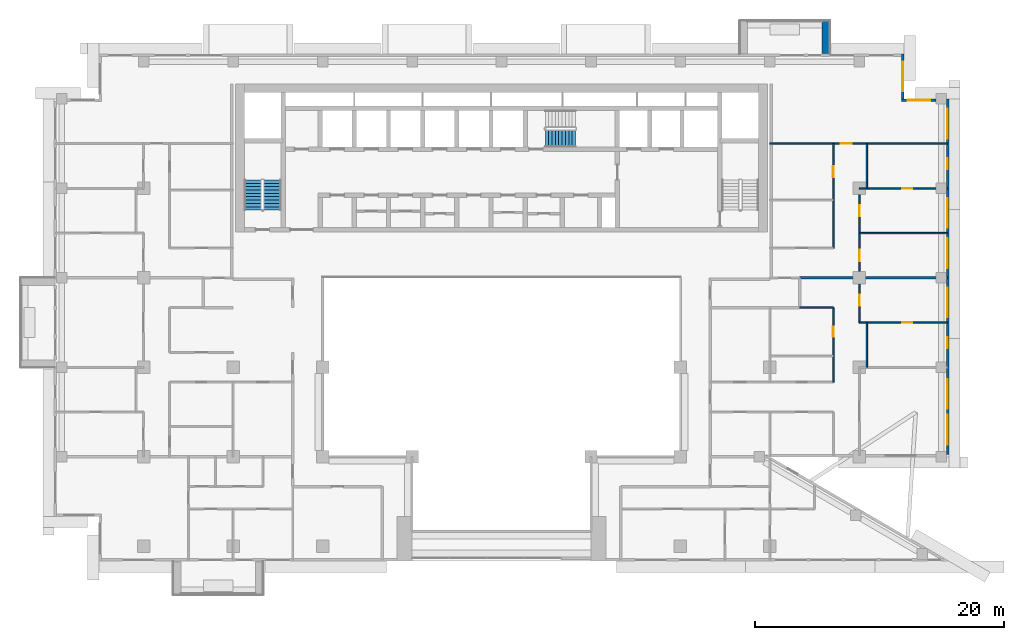
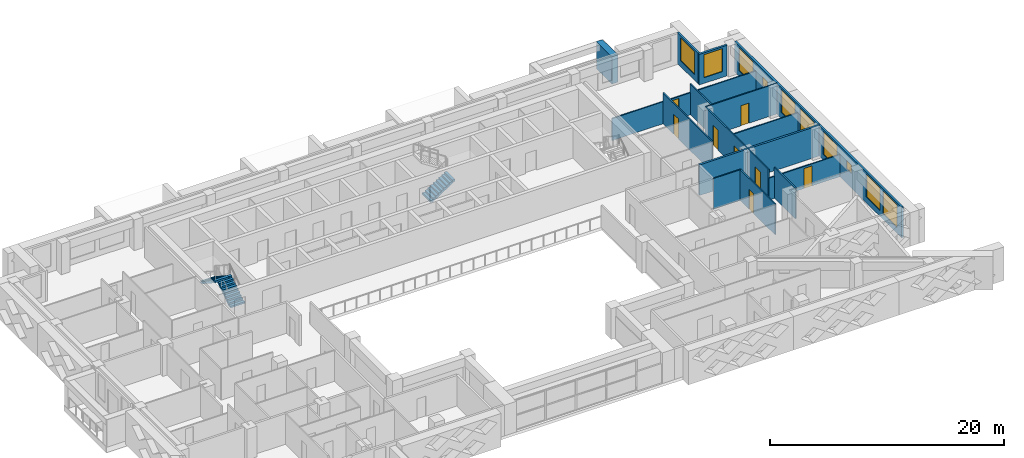
# One storey, part 12 of 20: 15 walls, 10 windows, 8 doors, 3 stair flights, 18 openings, 2 elements without a shape of their own.
"""IFC4 building model written with IfcOpenShell, lengths in metres."""

from ifc_helpers import new_model, si_unit, direction, frame, frame_2d, origin, place, context, subcontext, project, spatial, polyline, rectangle, outline, extrude, material, layer, layer_set, type_object, element, fill, aggregate, save


model = new_model("IFC4")

# Units and contexts
model_context = context("Model", 3, precision=1e-05, world=origin(), true_north=direction((0.0, 1.0)))
body_context = subcontext(model_context, "Body", "Model", "MODEL_VIEW")
ifc_project = project(units=[si_unit("LENGTHUNIT", "METRE"), si_unit("AREAUNIT", "SQUARE_METRE"), si_unit("VOLUMEUNIT", "CUBIC_METRE"), si_unit("PLANEANGLEUNIT", "RADIAN"), si_unit("MASSUNIT", "GRAM", prefix="KILO")], contexts=[model_context])

# Site, building, storey
site_placement = place(None, origin())
site = spatial("IfcSite", under=ifc_project, at=site_placement, CompositionType="ELEMENT")
building_placement = place(site_placement, origin())
building = spatial("IfcBuilding", under=site, at=building_placement, Name="Saffron Iwan Residences", CompositionType="ELEMENT")
storey_placement = place(building_placement, frame((0.0, 0.0, 164.0)))
storey = spatial("IfcBuildingStorey", under=building, at=storey_placement, Name="L43", CompositionType="ELEMENT", Elevation=164.0)

# Wall
ifc_material_1 = material(Name="Concrete C50/60 white painted", Category="concrete")
ifc_layer_1 = layer(ifc_material_1, 0.60009765625)
ifc_layer_set_1 = layer_set([ifc_layer_1], Name="Concrete C50/60 white painted")
wall_type_1 = type_object("IfcWallType", Name="BALCONY FIN 600", PredefinedType="SOLIDWALL", material=ifc_layer_set_1)
wall_1_placement = place(storey_placement, frame((76.5, 80.449951171875, 0.0), z_axis=(0.0, 0.0, 1.0), x_axis=(0.0, 1.0, 0.0)))
element("IfcWall", 1, at=wall_1_placement, inside=storey, type_object=wall_type_1, Name="Balcony fin L43 F5-0a", PredefinedType="SOLIDWALL", context=body_context, shape_type="SweptSolid", body=[
    extrude(rectangle(XDim=2.650146484375, YDim=0.60009765625, at=frame_2d((1.3251953125, 0.0))), origin(), (0.0, 0.0, 1.0), 2.85009765625),
])

# Wall, openings, windows
ifc_material_2 = material(Name="Concrete C40/50", Category="concrete")
ifc_layer_2 = layer(ifc_material_2, 0.199951171875)
ifc_layer_set_2 = layer_set([ifc_layer_2], Name="Concrete C40/50")
wall_type_2 = type_object("IfcWallType", Name="EXTERNAL WALL 200", PredefinedType="SOLIDWALL", material=ifc_layer_set_2)
wall_2_placement = place(storey_placement, frame((86.300048828125, 48.199951171875, 0.0), z_axis=(0.0, 0.0, 1.0), x_axis=(0.0, 1.0, 0.0)))
wall_2 = element("IfcWall", 2, at=wall_2_placement, inside=storey, type_object=wall_type_2, Name="External wall L43 F2.0", PredefinedType="SOLIDWALL", context=body_context, shape_type="SweptSolid", body=[
    extrude(rectangle(XDim=28.60009765625, YDim=0.199951171875, at=frame_2d((14.300048828125, 0.0))), origin(), (0.0, 0.0, 1.0), 3.199951171875),
])
opening_1_placement = place(wall_2_placement, frame((0.77490234375, 0.0, 0.60009765625)))
opening_1 = element("IfcOpeningElement", 3, at=opening_1_placement, cuts=wall_2, Name="Opening W1", PredefinedType="OPENING", context=body_context, shape_type="SweptSolid", body=[
    extrude(rectangle(XDim=2.39990234375, YDim=2.39990234375, at=frame_2d((1.199951171875, 1.199951171875))), frame((0.0, 0.10986328125, 0.0), z_axis=(0.0, -1.0, 0.0), x_axis=(1.0, 0.0, 0.0)), (0.0, 0.0, 1.0), 0.219970703125),
])
opening_2_placement = place(wall_2_placement, frame((3.64990234375, 0.0, 0.60009765625)))
opening_2 = element("IfcOpeningElement", 4, at=opening_2_placement, cuts=wall_2, Name="Opening W1", PredefinedType="OPENING", context=body_context, shape_type="SweptSolid", body=[
    extrude(rectangle(XDim=2.39990234375, YDim=2.39990234375, at=frame_2d((1.199951171875, 1.199951171875))), frame((0.0, 0.10986328125, 0.0), z_axis=(0.0, -1.0, 0.0), x_axis=(1.0, 0.0, 0.0)), (0.0, 0.0, 1.0), 0.219970703125),
])
opening_3_placement = place(wall_2_placement, frame((11.012451171875, 0.0, 0.60009765625)))
opening_3 = element("IfcOpeningElement", 5, at=opening_3_placement, cuts=wall_2, Name="Opening W1", PredefinedType="OPENING", context=body_context, shape_type="SweptSolid", body=[
    extrude(rectangle(XDim=2.39990234375, YDim=2.39990234375, at=frame_2d((1.199951171875, 1.199951171875))), frame((0.0, 0.10986328125, 0.0), z_axis=(0.0, -1.0, 0.0), x_axis=(1.0, 0.0, 0.0)), (0.0, 0.0, 1.0), 0.219970703125),
])
opening_4_placement = place(wall_2_placement, frame((8.53759765625, 0.0, 1.5)))
opening_4 = element("IfcOpeningElement", 6, at=opening_4_placement, cuts=wall_2, Name="Opening W6", PredefinedType="OPENING", context=body_context, shape_type="SweptSolid", body=[
    extrude(rectangle(XDim=0.89990234375, YDim=0.89990234375, at=frame_2d((0.449951171875, 0.449951171875))), frame((0.0, 0.10986328125, 0.0), z_axis=(0.0, -1.0, 0.0), x_axis=(1.0, 0.0, 0.0)), (0.0, 0.0, 1.0), 0.219970703125),
])
opening_5_placement = place(wall_2_placement, frame((14.987548828125, 0.0, 0.60009765625)))
opening_5 = element("IfcOpeningElement", 7, at=opening_5_placement, cuts=wall_2, Name="Opening W1", PredefinedType="OPENING", context=body_context, shape_type="SweptSolid", body=[
    extrude(rectangle(XDim=2.39990234375, YDim=2.39990234375, at=frame_2d((1.199951171875, 1.199951171875))), frame((0.0, 0.10986328125, 0.0), z_axis=(0.0, -1.0, 0.0), x_axis=(1.0, 0.0, 0.0)), (0.0, 0.0, 1.0), 0.219970703125),
])
opening_6_placement = place(wall_2_placement, frame((18.21240234375, 0.0, 0.60009765625)))
opening_6 = element("IfcOpeningElement", 8, at=opening_6_placement, cuts=wall_2, Name="Opening W1", PredefinedType="OPENING", context=body_context, shape_type="SweptSolid", body=[
    extrude(rectangle(XDim=2.39990234375, YDim=2.39990234375, at=frame_2d((1.199951171875, 1.199951171875))), frame((0.0, 0.10986328125, 0.0), z_axis=(0.0, -1.0, 0.0), x_axis=(1.0, 0.0, 0.0)), (0.0, 0.0, 1.0), 0.219970703125),
])
opening_7_placement = place(wall_2_placement, frame((22.9375, 0.0, 1.5)))
opening_7 = element("IfcOpeningElement", 9, at=opening_7_placement, cuts=wall_2, Name="Opening W6", PredefinedType="OPENING", context=body_context, shape_type="SweptSolid", body=[
    extrude(rectangle(XDim=0.89990234375, YDim=0.89990234375, at=frame_2d((0.449951171875, 0.449951171875))), frame((0.0, 0.10986328125, 0.0), z_axis=(0.0, -1.0, 0.0), x_axis=(1.0, 0.0, 0.0)), (0.0, 0.0, 1.0), 0.219970703125),
])
opening_8_placement = place(wall_2_placement, frame((25.41259765625, 0.0, 0.60009765625)))
opening_8 = element("IfcOpeningElement", 10, at=opening_8_placement, cuts=wall_2, Name="Opening W1", PredefinedType="OPENING", context=body_context, shape_type="SweptSolid", body=[
    extrude(rectangle(XDim=2.39990234375, YDim=2.39990234375, at=frame_2d((1.199951171875, 1.199951171875))), frame((0.0, 0.10986328125, 0.0), z_axis=(0.0, -1.0, 0.0), x_axis=(1.0, 0.0, 0.0)), (0.0, 0.0, 1.0), 0.219970703125),
])
ifc_material_3 = material(Name="Clear glass, laminated double glazed", Category="glass")
window_type_1 = type_object("IfcWindowType", Name="WINDOW 2400 x 2400", PartitioningType="DOUBLE_PANEL_VERTICAL", PredefinedType="WINDOW", material=ifc_material_3)
window_1_placement = place(opening_1_placement, origin())
window_1 = element("IfcWindow", 11, at=window_1_placement, inside=storey, type_object=window_type_1, Name="Window L43 F2.0", OverallHeight=2.39990234375, OverallWidth=2.39990234375, PartitioningType="DOUBLE_PANEL_VERTICAL", PredefinedType="WINDOW", context=body_context, shape_type="SweptSolid", body=[
    extrude(rectangle(XDim=2.39990234375, YDim=2.39990234375, at=frame_2d((1.199951171875, 1.199951171875))), frame((0.0, 0.030029296875, 0.0), z_axis=(0.0, -1.0, 0.0), x_axis=(1.0, 0.0, 0.0)), (0.0, 0.0, 1.0), 0.06005859375),
])
fill(opening_1, window_1)
window_2_placement = place(opening_2_placement, origin())
window_2 = element("IfcWindow", 12, at=window_2_placement, inside=storey, type_object=window_type_1, Name="Window L43 F2.1", OverallHeight=2.39990234375, OverallWidth=2.39990234375, PartitioningType="DOUBLE_PANEL_VERTICAL", PredefinedType="WINDOW", context=body_context, shape_type="SweptSolid", body=[
    extrude(rectangle(XDim=2.39990234375, YDim=2.39990234375, at=frame_2d((1.199951171875, 1.199951171875))), frame((0.0, 0.030029296875, 0.0), z_axis=(0.0, -1.0, 0.0), x_axis=(1.0, 0.0, 0.0)), (0.0, 0.0, 1.0), 0.06005859375),
])
fill(opening_2, window_2)
window_3_placement = place(opening_3_placement, origin())
window_3 = element("IfcWindow", 13, at=window_3_placement, inside=storey, type_object=window_type_1, Name="Window L43 F2.2", OverallHeight=2.39990234375, OverallWidth=2.39990234375, PartitioningType="DOUBLE_PANEL_VERTICAL", PredefinedType="WINDOW", context=body_context, shape_type="SweptSolid", body=[
    extrude(rectangle(XDim=2.39990234375, YDim=2.39990234375, at=frame_2d((1.199951171875, 1.199951171875))), frame((0.0, 0.030029296875, 0.0), z_axis=(0.0, -1.0, 0.0), x_axis=(1.0, 0.0, 0.0)), (0.0, 0.0, 1.0), 0.06005859375),
])
fill(opening_3, window_3)
window_4_placement = place(opening_5_placement, origin())
window_4 = element("IfcWindow", 14, at=window_4_placement, inside=storey, type_object=window_type_1, Name="Window L43 F2.4", OverallHeight=2.39990234375, OverallWidth=2.39990234375, PartitioningType="DOUBLE_PANEL_VERTICAL", PredefinedType="WINDOW", context=body_context, shape_type="SweptSolid", body=[
    extrude(rectangle(XDim=2.39990234375, YDim=2.39990234375, at=frame_2d((1.199951171875, 1.199951171875))), frame((0.0, 0.030029296875, 0.0), z_axis=(0.0, -1.0, 0.0), x_axis=(1.0, 0.0, 0.0)), (0.0, 0.0, 1.0), 0.06005859375),
])
fill(opening_5, window_4)
window_5_placement = place(opening_6_placement, origin())
window_5 = element("IfcWindow", 15, at=window_5_placement, inside=storey, type_object=window_type_1, Name="Window L43 F2.5", OverallHeight=2.39990234375, OverallWidth=2.39990234375, PartitioningType="DOUBLE_PANEL_VERTICAL", PredefinedType="WINDOW", context=body_context, shape_type="SweptSolid", body=[
    extrude(rectangle(XDim=2.39990234375, YDim=2.39990234375, at=frame_2d((1.199951171875, 1.199951171875))), frame((0.0, 0.030029296875, 0.0), z_axis=(0.0, -1.0, 0.0), x_axis=(1.0, 0.0, 0.0)), (0.0, 0.0, 1.0), 0.06005859375),
])
fill(opening_6, window_5)
window_6_placement = place(opening_8_placement, origin())
window_6 = element("IfcWindow", 16, at=window_6_placement, inside=storey, type_object=window_type_1, Name="Window L43 F2.7", OverallHeight=2.39990234375, OverallWidth=2.39990234375, PartitioningType="DOUBLE_PANEL_VERTICAL", PredefinedType="WINDOW", context=body_context, shape_type="SweptSolid", body=[
    extrude(rectangle(XDim=2.39990234375, YDim=2.39990234375, at=frame_2d((1.199951171875, 1.199951171875))), frame((0.0, 0.030029296875, 0.0), z_axis=(0.0, -1.0, 0.0), x_axis=(1.0, 0.0, 0.0)), (0.0, 0.0, 1.0), 0.06005859375),
])
fill(opening_8, window_6)
window_type_2 = type_object("IfcWindowType", Name="WINDOW 900 x 900 BATH", PartitioningType="SINGLE_PANEL", PredefinedType="WINDOW", material=ifc_material_3)
window_7_placement = place(opening_4_placement, origin())
window_7 = element("IfcWindow", 17, at=window_7_placement, inside=storey, type_object=window_type_2, Name="Window L43 F2.3", OverallHeight=0.89990234375, OverallWidth=0.89990234375, PartitioningType="SINGLE_PANEL", PredefinedType="WINDOW", context=body_context, shape_type="SweptSolid", body=[
    extrude(rectangle(XDim=0.89990234375, YDim=0.89990234375, at=frame_2d((0.449951171875, 0.449951171875))), frame((0.0, 0.030029296875, 0.0), z_axis=(0.0, -1.0, 0.0), x_axis=(1.0, 0.0, 0.0)), (0.0, 0.0, 1.0), 0.06005859375),
])
fill(opening_4, window_7)
window_8_placement = place(opening_7_placement, origin())
window_8 = element("IfcWindow", 18, at=window_8_placement, inside=storey, type_object=window_type_2, Name="Window L43 F2.6", OverallHeight=0.89990234375, OverallWidth=0.89990234375, PartitioningType="SINGLE_PANEL", PredefinedType="WINDOW", context=body_context, shape_type="SweptSolid", body=[
    extrude(rectangle(XDim=0.89990234375, YDim=0.89990234375, at=frame_2d((0.449951171875, 0.449951171875))), frame((0.0, 0.030029296875, 0.0), z_axis=(0.0, -1.0, 0.0), x_axis=(1.0, 0.0, 0.0)), (0.0, 0.0, 1.0), 0.06005859375),
])
fill(opening_7, window_8)

# Wall, opening, window
wall_3_placement = place(storey_placement, frame((85.375, 76.699951171875, 0.0), z_axis=(0.0, 0.0, 1.0), x_axis=(-1.0, 0.0, 0.0)))
wall_3 = element("IfcWall", 19, at=wall_3_placement, inside=storey, type_object=wall_type_2, Name="External wall L43 F3.0", PredefinedType="SOLIDWALL", context=body_context, shape_type="SweptSolid", body=[
    extrude(rectangle(XDim=2.77490234375, YDim=0.199951171875, at=frame_2d((1.387451171875, 0.0))), origin(), (0.0, 0.0, 1.0), 3.199951171875),
])
opening_9_placement = place(wall_3_placement, frame((0.487548828125, 0.0, 0.60009765625)))
opening_9 = element("IfcOpeningElement", 20, at=opening_9_placement, cuts=wall_3, Name="Opening W8", PredefinedType="OPENING", context=body_context, shape_type="SweptSolid", body=[
    extrude(rectangle(XDim=1.800048828125, YDim=2.39990234375, at=frame_2d((0.89990234375, 1.199951171875))), frame((0.0, 0.10986328125, 0.0), z_axis=(0.0, -1.0, 0.0), x_axis=(1.0, 0.0, 0.0)), (0.0, 0.0, 1.0), 0.219970703125),
])
window_type_3 = type_object("IfcWindowType", Name="WINDOW 1800 x 2400", PartitioningType="DOUBLE_PANEL_VERTICAL", PredefinedType="WINDOW", material=ifc_material_3)
window_9_placement = place(opening_9_placement, origin())
window_9 = element("IfcWindow", 21, at=window_9_placement, inside=storey, type_object=window_type_3, Name="Window L43 F3.0", OverallHeight=2.39990234375, OverallWidth=1.800048828125, PartitioningType="DOUBLE_PANEL_VERTICAL", PredefinedType="WINDOW", context=body_context, shape_type="SweptSolid", body=[
    extrude(rectangle(XDim=1.800048828125, YDim=2.39990234375, at=frame_2d((0.89990234375, 1.199951171875))), frame((0.0, 0.030029296875, 0.0), z_axis=(0.0, -1.0, 0.0), x_axis=(1.0, 0.0, 0.0)), (0.0, 0.0, 1.0), 0.06005859375),
])
fill(opening_9, window_9)

wall_4_placement = place(storey_placement, frame((82.699951171875, 76.800048828125, 0.0), z_axis=(0.0, 0.0, 1.0), x_axis=(0.0, 1.0, 0.0)))
wall_4 = element("IfcWall", 22, at=wall_4_placement, inside=storey, type_object=wall_type_2, Name="External wall L43 F4.0", PredefinedType="SOLIDWALL", context=body_context, shape_type="SweptSolid", body=[
    extrude(rectangle(XDim=3.599853515625, YDim=0.199951171875, at=frame_2d((1.7998046875, 0.0))), origin(), (0.0, 0.0, 1.0), 3.199951171875),
])
opening_10_placement = place(wall_4_placement, frame((0.60009765625, 0.0, 0.60009765625)))
opening_10 = element("IfcOpeningElement", 23, at=opening_10_placement, cuts=wall_4, Name="Opening W1", PredefinedType="OPENING", context=body_context, shape_type="SweptSolid", body=[
    extrude(rectangle(XDim=2.39990234375, YDim=2.39990234375, at=frame_2d((1.199951171875, 1.199951171875))), frame((0.0, 0.10986328125, 0.0), z_axis=(0.0, -1.0, 0.0), x_axis=(1.0, 0.0, 0.0)), (0.0, 0.0, 1.0), 0.219970703125),
])
window_10_placement = place(opening_10_placement, origin())
window_10 = element("IfcWindow", 24, at=window_10_placement, inside=storey, type_object=window_type_1, Name="Window L43 F4.0", OverallHeight=2.39990234375, OverallWidth=2.39990234375, PartitioningType="DOUBLE_PANEL_VERTICAL", PredefinedType="WINDOW", context=body_context, shape_type="SweptSolid", body=[
    extrude(rectangle(XDim=2.39990234375, YDim=2.39990234375, at=frame_2d((1.199951171875, 1.199951171875))), frame((0.0, 0.030029296875, 0.0), z_axis=(0.0, -1.0, 0.0), x_axis=(1.0, 0.0, 0.0)), (0.0, 0.0, 1.0), 0.06005859375),
])
fill(opening_10, window_10)

# Wall
ifc_material_4 = material(Name="Fire-rated gypsum board wall")
ifc_layer_3 = layer(ifc_material_4, 0.199951171875)
ifc_layer_set_3 = layer_set([ifc_layer_3], Name="Fire-rated gypsum board wall")
wall_type_3 = type_object("IfcWallType", Name="Flat demising wall 200", PredefinedType="SOLIDWALL", material=ifc_layer_set_3)
wall_5_placement = place(storey_placement, frame((74.39990234375, 62.39990234375, 0.0), z_axis=(0.0, 0.0, 1.0), x_axis=(1.0, 0.0, 0.0)))
element("IfcWall", 25, at=wall_5_placement, inside=storey, type_object=wall_type_3, Name="W-L43-DEMISE-h62.4-74.4", PredefinedType="SOLIDWALL", context=body_context, shape_type="SweptSolid", body=[
    extrude(rectangle(XDim=11.875, YDim=0.199951171875, at=frame_2d((5.9375, 0.0))), origin(), (0.0, 0.0, 1.0), 3.199951171875),
])

# Wall, opening, door
ifc_material_5 = material(Name="Gypsum board partition")
ifc_layer_4 = layer(ifc_material_5, 0.1201171875)
ifc_layer_set_4 = layer_set([ifc_layer_4], Name="Gypsum board partition")
wall_type_4 = type_object("IfcWallType", Name="Flat partition 120", PredefinedType="PARTITIONING", material=ifc_layer_set_4)
wall_6_placement = place(storey_placement, frame((79.199951171875, 58.800048828125, 0.0), z_axis=(0.0, 0.0, 1.0), x_axis=(1.0, 0.0, 0.0)))
wall_6 = element("IfcWall", 26, at=wall_6_placement, inside=storey, type_object=wall_type_4, Name="W-L43-PART-h58.8-79.2", PredefinedType="PARTITIONING", context=body_context, shape_type="SweptSolid", body=[
    extrude(rectangle(XDim=7.074951171875, YDim=0.1201171875, at=frame_2d((3.53759765625, 0.0))), origin(), (0.0, 0.0, 1.0), 2.300048828125),
])
opening_11_placement = place(wall_6_placement, frame((3.4375, 0.0, 0.0)))
opening_11 = element("IfcOpeningElement", 27, at=opening_11_placement, cuts=wall_6, Name="Opening FD3", PredefinedType="OPENING", context=body_context, shape_type="SweptSolid", body=[
    extrude(rectangle(XDim=0.800048828125, YDim=2.10009765625, at=frame_2d((0.39990234375, 1.050048828125))), frame((0.0, 0.070068359375, 0.0), z_axis=(0.0, -1.0, 0.0), x_axis=(1.0, 0.0, 0.0)), (0.0, 0.0, 1.0), 0.14013671875),
])
ifc_material_6 = material(Name="Timber door", Category="wood")
door_type_1 = type_object("IfcDoorType", Name="Bathroom door 800", OperationType="NOTDEFINED", PredefinedType="DOOR", material=ifc_material_6)
door_1_placement = place(opening_11_placement, origin())
door_1 = element("IfcDoor", 28, at=door_1_placement, inside=storey, type_object=door_type_1, Name="Door L43-019", OperationType="SINGLE_SWING_LEFT", OverallHeight=2.10009765625, OverallWidth=0.800048828125, PredefinedType="DOOR", context=body_context, shape_type="SweptSolid", body=[
    extrude(rectangle(XDim=0.800048828125, YDim=2.10009765625, at=frame_2d((0.39990234375, 1.050048828125))), frame((0.0, 0.02490234375, 0.0), z_axis=(0.0, -1.0, 0.0), x_axis=(1.0, 0.0, 0.0)), (0.0, 0.0, 1.0), 0.050048828125),
])
fill(opening_11, door_1)

# Walls
wall_7_placement = place(storey_placement, frame((74.39990234375, 60.0, 0.0), z_axis=(0.0, 0.0, 1.0), x_axis=(1.0, 0.0, 0.0)))
element("IfcWall", 29, at=wall_7_placement, inside=storey, type_object=wall_type_4, Name="W-L43-PART-h60-74.4", PredefinedType="PARTITIONING", context=body_context, shape_type="SweptSolid", body=[
    extrude(rectangle(XDim=2.7001953125, YDim=0.1201171875, at=frame_2d((1.35009765625, 0.0))), origin(), (0.0, 0.0, 1.0), 3.199951171875),
])
wall_8_placement = place(storey_placement, frame((79.199951171875, 66.0, 0.0), z_axis=(0.0, 0.0, 1.0), x_axis=(1.0, 0.0, 0.0)))
element("IfcWall", 30, at=wall_8_placement, inside=storey, type_object=wall_type_4, Name="W-L43-PART-h66-79.2", PredefinedType="PARTITIONING", context=body_context, shape_type="SweptSolid", body=[
    extrude(rectangle(XDim=7.074951171875, YDim=0.1201171875, at=frame_2d((3.53759765625, 0.0))), origin(), (0.0, 0.0, 1.0), 2.300048828125),
])

# Wall, opening, door
wall_9_placement = place(storey_placement, frame((79.199951171875, 69.60009765625, 0.0), z_axis=(0.0, 0.0, 1.0), x_axis=(1.0, 0.0, 0.0)))
wall_9 = element("IfcWall", 31, at=wall_9_placement, inside=storey, type_object=wall_type_4, Name="W-L43-PART-h69.6-79.2", PredefinedType="PARTITIONING", context=body_context, shape_type="SweptSolid", body=[
    extrude(rectangle(XDim=7.074951171875, YDim=0.1201171875, at=frame_2d((3.53759765625, 0.0))), origin(), (0.0, 0.0, 1.0), 3.199951171875),
])
opening_12_placement = place(wall_9_placement, frame((3.4375, 0.0, 0.0)))
opening_12 = element("IfcOpeningElement", 32, at=opening_12_placement, cuts=wall_9, Name="Opening FD3", PredefinedType="OPENING", context=body_context, shape_type="SweptSolid", body=[
    extrude(rectangle(XDim=0.800048828125, YDim=2.10009765625, at=frame_2d((0.39990234375, 1.050048828125))), frame((0.0, 0.070068359375, 0.0), z_axis=(0.0, -1.0, 0.0), x_axis=(1.0, 0.0, 0.0)), (0.0, 0.0, 1.0), 0.14013671875),
])
door_2_placement = place(opening_12_placement, origin())
door_2 = element("IfcDoor", 33, at=door_2_placement, inside=storey, type_object=door_type_1, Name="Door L43-037", OperationType="SINGLE_SWING_LEFT", OverallHeight=2.10009765625, OverallWidth=0.800048828125, PredefinedType="DOOR", context=body_context, shape_type="SweptSolid", body=[
    extrude(rectangle(XDim=0.800048828125, YDim=2.10009765625, at=frame_2d((0.39990234375, 1.050048828125))), frame((0.0, 0.02490234375, 0.0), z_axis=(0.0, -1.0, 0.0), x_axis=(1.0, 0.0, 0.0)), (0.0, 0.0, 1.0), 0.050048828125),
])
fill(opening_12, door_2)

wall_10_placement = place(storey_placement, frame((72.0, 73.199951171875, 0.0), z_axis=(0.0, 0.0, 1.0), x_axis=(1.0, 0.0, 0.0)))
wall_10 = element("IfcWall", 34, at=wall_10_placement, inside=storey, type_object=wall_type_4, Name="W-L43-PART-h73.2-72", PredefinedType="PARTITIONING", context=body_context, shape_type="SweptSolid", body=[
    extrude(rectangle(XDim=14.27490234375, YDim=0.1201171875, at=frame_2d((7.137451171875, 0.0))), origin(), (0.0, 0.0, 1.0), 2.300048828125),
])
opening_13_placement = place(wall_10_placement, frame((5.699951171875, 0.0, 0.0)))
opening_13 = element("IfcOpeningElement", 35, at=opening_13_placement, cuts=wall_10, Name="Opening FD2", PredefinedType="OPENING", context=body_context, shape_type="SweptSolid", body=[
    extrude(rectangle(XDim=0.89990234375, YDim=2.10009765625, at=frame_2d((0.449951171875, 1.050048828125))), frame((0.0, 0.070068359375, 0.0), z_axis=(0.0, -1.0, 0.0), x_axis=(1.0, 0.0, 0.0)), (0.0, 0.0, 1.0), 0.14013671875),
])
door_type_2 = type_object("IfcDoorType", Name="Flat door 900", OperationType="NOTDEFINED", PredefinedType="DOOR", material=ifc_material_6)
door_3_placement = place(opening_13_placement, origin())
door_3 = element("IfcDoor", 36, at=door_3_placement, inside=storey, type_object=door_type_2, Name="Door L43-038", OperationType="SINGLE_SWING_LEFT", OverallHeight=2.10009765625, OverallWidth=0.89990234375, PredefinedType="DOOR", context=body_context, shape_type="SweptSolid", body=[
    extrude(rectangle(XDim=0.89990234375, YDim=2.10009765625, at=frame_2d((0.449951171875, 1.050048828125))), frame((0.0, 0.02490234375, 0.0), z_axis=(0.0, -1.0, 0.0), x_axis=(1.0, 0.0, 0.0)), (0.0, 0.0, 1.0), 0.050048828125),
])
fill(opening_13, door_3)

wall_11_placement = place(storey_placement, frame((77.10009765625, 54.0, 0.0), z_axis=(0.0, 0.0, 1.0), x_axis=(0.0, 1.0, 0.0)))
wall_11 = element("IfcWall", 37, at=wall_11_placement, inside=storey, type_object=wall_type_4, Name="W-L43-PART-v77.1-54", PredefinedType="PARTITIONING", context=body_context, shape_type="SweptSolid", body=[
    extrude(rectangle(XDim=6.0, YDim=0.1201171875, at=frame_2d((3.0, 0.0))), origin(), (0.0, 0.0, 1.0), 3.199951171875),
])
opening_14_placement = place(wall_11_placement, frame((3.64990234375, 0.0, 0.0)))
opening_14 = element("IfcOpeningElement", 38, at=opening_14_placement, cuts=wall_11, Name="Opening FD3", PredefinedType="OPENING", context=body_context, shape_type="SweptSolid", body=[
    extrude(rectangle(XDim=0.800048828125, YDim=2.10009765625, at=frame_2d((0.39990234375, 1.050048828125))), frame((0.0, 0.070068359375, 0.0), z_axis=(0.0, -1.0, 0.0), x_axis=(1.0, 0.0, 0.0)), (0.0, 0.0, 1.0), 0.14013671875),
])
door_4_placement = place(opening_14_placement, origin())
door_4 = element("IfcDoor", 39, at=door_4_placement, inside=storey, type_object=door_type_1, Name="Door L43-022", OperationType="SINGLE_SWING_LEFT", OverallHeight=2.10009765625, OverallWidth=0.800048828125, PredefinedType="DOOR", context=body_context, shape_type="SweptSolid", body=[
    extrude(rectangle(XDim=0.800048828125, YDim=2.10009765625, at=frame_2d((0.39990234375, 1.050048828125))), frame((0.0, 0.02490234375, 0.0), z_axis=(0.0, -1.0, 0.0), x_axis=(1.0, 0.0, 0.0)), (0.0, 0.0, 1.0), 0.050048828125),
])
fill(opening_14, door_4)

wall_12_placement = place(storey_placement, frame((77.10009765625, 64.800048828125, 0.0), z_axis=(0.0, 0.0, 1.0), x_axis=(0.0, 1.0, 0.0)))
wall_12 = element("IfcWall", 40, at=wall_12_placement, inside=storey, type_object=wall_type_4, Name="W-L43-PART-v77.1-64.8", PredefinedType="PARTITIONING", context=body_context, shape_type="SweptSolid", body=[
    extrude(rectangle(XDim=8.39990234375, YDim=0.1201171875, at=frame_2d((4.199951171875, 0.0))), origin(), (0.0, 0.0, 1.0), 3.199951171875),
])
opening_15_placement = place(wall_12_placement, frame((5.675048828125, 0.0, 0.0)))
opening_15 = element("IfcOpeningElement", 41, at=opening_15_placement, cuts=wall_12, Name="Opening FD2", PredefinedType="OPENING", context=body_context, shape_type="SweptSolid", body=[
    extrude(rectangle(XDim=0.89990234375, YDim=2.10009765625, at=frame_2d((0.449951171875, 1.050048828125))), frame((0.0, 0.070068359375, 0.0), z_axis=(0.0, -1.0, 0.0), x_axis=(1.0, 0.0, 0.0)), (0.0, 0.0, 1.0), 0.14013671875),
])
door_5_placement = place(opening_15_placement, origin())
door_5 = element("IfcDoor", 42, at=door_5_placement, inside=storey, type_object=door_type_2, Name="Door L43-040", OperationType="SINGLE_SWING_LEFT", OverallHeight=2.10009765625, OverallWidth=0.89990234375, PredefinedType="DOOR", context=body_context, shape_type="SweptSolid", body=[
    extrude(rectangle(XDim=0.89990234375, YDim=2.10009765625, at=frame_2d((0.449951171875, 1.050048828125))), frame((0.0, 0.02490234375, 0.0), z_axis=(0.0, -1.0, 0.0), x_axis=(1.0, 0.0, 0.0)), (0.0, 0.0, 1.0), 0.050048828125),
])
fill(opening_15, door_5)

# Wall, openings, doors
wall_13_placement = place(storey_placement, frame((79.199951171875, 58.800048828125, 0.0), z_axis=(0.0, 0.0, 1.0), x_axis=(0.0, 1.0, 0.0)))
wall_13 = element("IfcWall", 43, at=wall_13_placement, inside=storey, type_object=wall_type_4, Name="W-L43-PART-v79.2-58.8", PredefinedType="PARTITIONING", context=body_context, shape_type="SweptSolid", body=[
    extrude(rectangle(XDim=10.800048828125, YDim=0.1201171875, at=frame_2d((5.39990234375, 0.0))), origin(), (0.0, 0.0, 1.0), 3.199951171875),
])
opening_16_placement = place(wall_13_placement, frame((1.35009765625, 0.0, 0.0)))
opening_16 = element("IfcOpeningElement", 44, at=opening_16_placement, cuts=wall_13, Name="Opening FD2", PredefinedType="OPENING", context=body_context, shape_type="SweptSolid", body=[
    extrude(rectangle(XDim=0.89990234375, YDim=2.10009765625, at=frame_2d((0.449951171875, 1.050048828125))), frame((0.0, 0.070068359375, 0.0), z_axis=(0.0, -1.0, 0.0), x_axis=(1.0, 0.0, 0.0)), (0.0, 0.0, 1.0), 0.14013671875),
])
opening_17_placement = place(wall_13_placement, frame((4.949951171875, 0.0, 0.0)))
opening_17 = element("IfcOpeningElement", 45, at=opening_17_placement, cuts=wall_13, Name="Opening FD2", PredefinedType="OPENING", context=body_context, shape_type="SweptSolid", body=[
    extrude(rectangle(XDim=0.89990234375, YDim=2.10009765625, at=frame_2d((0.449951171875, 1.050048828125))), frame((0.0, 0.070068359375, 0.0), z_axis=(0.0, -1.0, 0.0), x_axis=(1.0, 0.0, 0.0)), (0.0, 0.0, 1.0), 0.14013671875),
])
opening_18_placement = place(wall_13_placement, frame((8.550048828125, 0.0, 0.0)))
opening_18 = element("IfcOpeningElement", 46, at=opening_18_placement, cuts=wall_13, Name="Opening FD2", PredefinedType="OPENING", context=body_context, shape_type="SweptSolid", body=[
    extrude(rectangle(XDim=0.89990234375, YDim=2.10009765625, at=frame_2d((0.449951171875, 1.050048828125))), frame((0.0, 0.070068359375, 0.0), z_axis=(0.0, -1.0, 0.0), x_axis=(1.0, 0.0, 0.0)), (0.0, 0.0, 1.0), 0.14013671875),
])
door_6_placement = place(opening_16_placement, origin())
door_6 = element("IfcDoor", 47, at=door_6_placement, inside=storey, type_object=door_type_2, Name="Door L43-018", OperationType="SINGLE_SWING_RIGHT", OverallHeight=2.10009765625, OverallWidth=0.89990234375, PredefinedType="DOOR", context=body_context, shape_type="SweptSolid", body=[
    extrude(rectangle(XDim=0.89990234375, YDim=2.10009765625, at=frame_2d((0.449951171875, 1.050048828125))), frame((0.0, 0.02490234375, 0.0), z_axis=(0.0, -1.0, 0.0), x_axis=(1.0, 0.0, 0.0)), (0.0, 0.0, 1.0), 0.050048828125),
])
fill(opening_16, door_6)
door_7_placement = place(opening_17_placement, origin())
door_7 = element("IfcDoor", 48, at=door_7_placement, inside=storey, type_object=door_type_2, Name="Door L43-035", OperationType="SINGLE_SWING_LEFT", OverallHeight=2.10009765625, OverallWidth=0.89990234375, PredefinedType="DOOR", context=body_context, shape_type="SweptSolid", body=[
    extrude(rectangle(XDim=0.89990234375, YDim=2.10009765625, at=frame_2d((0.449951171875, 1.050048828125))), frame((0.0, 0.02490234375, 0.0), z_axis=(0.0, -1.0, 0.0), x_axis=(1.0, 0.0, 0.0)), (0.0, 0.0, 1.0), 0.050048828125),
])
fill(opening_17, door_7)
door_8_placement = place(opening_18_placement, origin())
door_8 = element("IfcDoor", 49, at=door_8_placement, inside=storey, type_object=door_type_2, Name="Door L43-036", OperationType="SINGLE_SWING_RIGHT", OverallHeight=2.10009765625, OverallWidth=0.89990234375, PredefinedType="DOOR", context=body_context, shape_type="SweptSolid", body=[
    extrude(rectangle(XDim=0.89990234375, YDim=2.10009765625, at=frame_2d((0.449951171875, 1.050048828125))), frame((0.0, 0.02490234375, 0.0), z_axis=(0.0, -1.0, 0.0), x_axis=(1.0, 0.0, 0.0)), (0.0, 0.0, 1.0), 0.050048828125),
])
fill(opening_18, door_8)

# Walls
wall_14_placement = place(storey_placement, frame((79.800048828125, 55.199951171875, 0.0), z_axis=(0.0, 0.0, 1.0), x_axis=(0.0, 1.0, 0.0)))
element("IfcWall", 50, at=wall_14_placement, inside=storey, type_object=wall_type_4, Name="W-L43-PART-v79.8-55.2", PredefinedType="PARTITIONING", context=body_context, shape_type="SweptSolid", body=[
    extrude(rectangle(XDim=3.60009765625, YDim=0.1201171875, at=frame_2d((1.800048828125, 0.0))), origin(), (0.0, 0.0, 1.0), 3.199951171875),
])
wall_15_placement = place(storey_placement, frame((79.800048828125, 69.60009765625, 0.0), z_axis=(0.0, 0.0, 1.0), x_axis=(0.0, 1.0, 0.0)))
element("IfcWall", 51, at=wall_15_placement, inside=storey, type_object=wall_type_4, Name="W-L43-PART-v79.8-69.6", PredefinedType="PARTITIONING", context=body_context, shape_type="SweptSolid", body=[
    extrude(rectangle(XDim=3.599853515625, YDim=0.1201171875, at=frame_2d((1.7998046875, 0.0))), origin(), (0.0, 0.0, 1.0), 3.199951171875),
])

# Stair, stair flights
ifc_material_7 = material(Name="Concrete C50/60", Category="concrete")
stair_type = type_object("IfcStairType", Name="Stair ST-CORE", PredefinedType="HALF_TURN_STAIR", material=ifc_material_7)
stair_1_placement = place(storey_placement, origin())
stair_1 = element("IfcStair", 52, at=stair_1_placement, inside=storey, type_object=stair_type, Name="L43 Exit Stair ST-W", PredefinedType="HALF_TURN_STAIR")
ifc_layer_5 = layer(ifc_material_7, 0.14990234375)
ifc_layer_set_5 = layer_set([ifc_layer_5], Name="Concrete C50/60")
stair_flight_type = type_object("IfcStairFlightType", Name="Stair flight SFL-RC", PredefinedType="STRAIGHT", material=ifc_layer_set_5)
stair_flight_1_placement = place(storey_placement, frame((31.949951171875, 67.85009765625, 0.0), z_axis=(0.0, 0.0, 1.0), x_axis=(0.0, 1.0, 0.0)))
stair_flight_1 = element("IfcStairFlight", 53, at=stair_flight_1_placement, type_object=stair_flight_type, Name="ST-W flight 1", NumberOfRisers=10, NumberOfTreads=9, PredefinedType="STRAIGHT", RiserHeight=0.175, TreadLength=0.27, context=body_context, shape_type="SweptSolid", body=[
    extrude(outline(polyline([(0.0, 0.0), (0.0, 0.175048828125), (0.27001953125, 0.175048828125), (0.27001953125, 0.35009765625), (0.5400390625, 0.35009765625), (0.5400390625, 0.52490234375), (0.81005859375, 0.52490234375), (0.81005859375, 0.699951171875), (1.080078125, 0.699951171875), (1.080078125, 0.875), (1.35009765625, 0.875), (1.35009765625, 1.050048828125), (1.6201171875, 1.050048828125), (1.6201171875, 1.22509765625), (1.889892578125, 1.22509765625), (1.889892578125, 1.39990234375), (2.159912109375, 1.39990234375), (2.159912109375, 1.574951171875), (2.429931640625, 1.574951171875), (2.429931640625, 1.75), (2.429931640625, 1.396484375), (0.275634765625, 0.0), (0.0, 0.0)])), frame((0.0, 0.699951171875, 0.0), z_axis=(0.0, -1.0, 0.0), x_axis=(1.0, 0.0, 0.0)), (0.0, 0.0, 1.0), 1.39990234375),
])
stair_flight_2_placement = place(storey_placement, frame((30.39990234375, 70.280029296875, 1.75), z_axis=(0.0, 0.0, 1.0), x_axis=(0.0, -1.0, 0.0)))
stair_flight_2 = element("IfcStairFlight", 54, at=stair_flight_2_placement, type_object=stair_flight_type, Name="ST-W flight 2", NumberOfRisers=10, NumberOfTreads=9, PredefinedType="STRAIGHT", RiserHeight=0.175, TreadLength=0.27, context=body_context, shape_type="SweptSolid", body=[
    extrude(outline(polyline([(0.0, 0.0), (0.0, 0.175048828125), (0.27001953125, 0.175048828125), (0.27001953125, 0.35009765625), (0.5400390625, 0.35009765625), (0.5400390625, 0.52490234375), (0.81005859375, 0.52490234375), (0.81005859375, 0.699951171875), (1.080078125, 0.699951171875), (1.080078125, 0.875), (1.35009765625, 0.875), (1.35009765625, 1.050048828125), (1.6201171875, 1.050048828125), (1.6201171875, 1.22509765625), (1.889892578125, 1.22509765625), (1.889892578125, 1.39990234375), (2.159912109375, 1.39990234375), (2.159912109375, 1.574951171875), (2.429931640625, 1.574951171875), (2.429931640625, 1.75), (2.429931640625, 1.396484375), (0.275634765625, 0.0), (0.0, 0.0)])), frame((0.0, 0.699951171875, 0.0), z_axis=(0.0, -1.0, 0.0), x_axis=(1.0, 0.0, 0.0)), (0.0, 0.0, 1.0), 1.39990234375),
])
aggregate(stair_1, [stair_flight_1, stair_flight_2])

# Stair, stair flight
stair_2_placement = place(storey_placement, origin())
stair_2 = element("IfcStair", 55, at=stair_2_placement, inside=storey, type_object=stair_type, Name="L43 Exit Stair ST-C", PredefinedType="HALF_TURN_STAIR")
stair_flight_3_placement = place(storey_placement, frame((53.925048828125, 73.625, 0.0), z_axis=(0.0, 0.0, 1.0), x_axis=(1.0, 0.0, 0.0)))
stair_flight_3 = element("IfcStairFlight", 56, at=stair_flight_3_placement, type_object=stair_flight_type, Name="ST-C flight 1", NumberOfRisers=10, NumberOfTreads=9, PredefinedType="STRAIGHT", RiserHeight=0.175, TreadLength=0.27, context=body_context, shape_type="SweptSolid", body=[
    extrude(outline(polyline([(0.0, 0.0), (0.0, 0.175048828125), (0.27001953125, 0.175048828125), (0.27001953125, 0.35009765625), (0.5400390625, 0.35009765625), (0.5400390625, 0.52490234375), (0.81005859375, 0.52490234375), (0.81005859375, 0.699951171875), (1.080078125, 0.699951171875), (1.080078125, 0.875), (1.35009765625, 0.875), (1.35009765625, 1.050048828125), (1.6201171875, 1.050048828125), (1.6201171875, 1.22509765625), (1.889892578125, 1.22509765625), (1.889892578125, 1.39990234375), (2.159912109375, 1.39990234375), (2.159912109375, 1.574951171875), (2.429931640625, 1.574951171875), (2.429931640625, 1.75), (2.429931640625, 1.396484375), (0.275634765625, 0.0), (0.0, 0.0)])), frame((0.0, 0.699951171875, 0.0), z_axis=(0.0, -1.0, 0.0), x_axis=(1.0, 0.0, 0.0)), (0.0, 0.0, 1.0), 1.39990234375),
])
aggregate(stair_2, [stair_flight_3])

save(model, "model.ifc")
